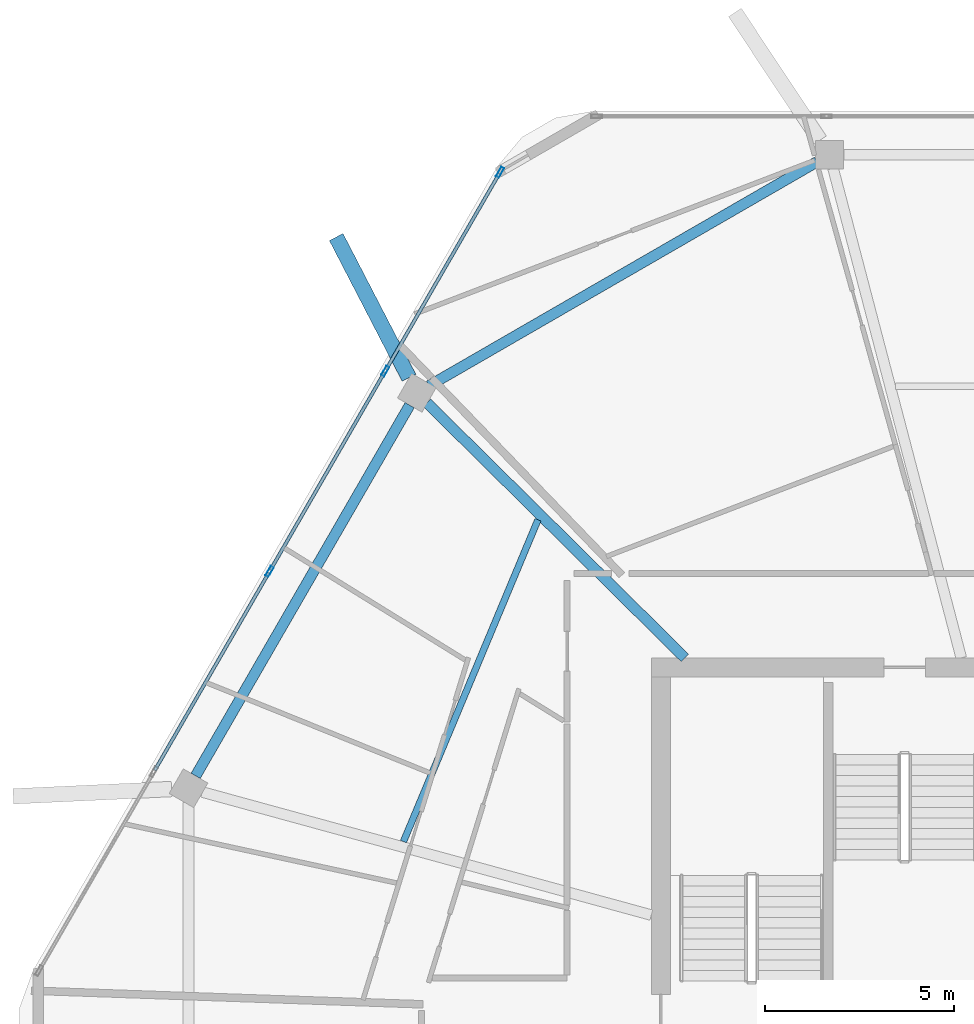
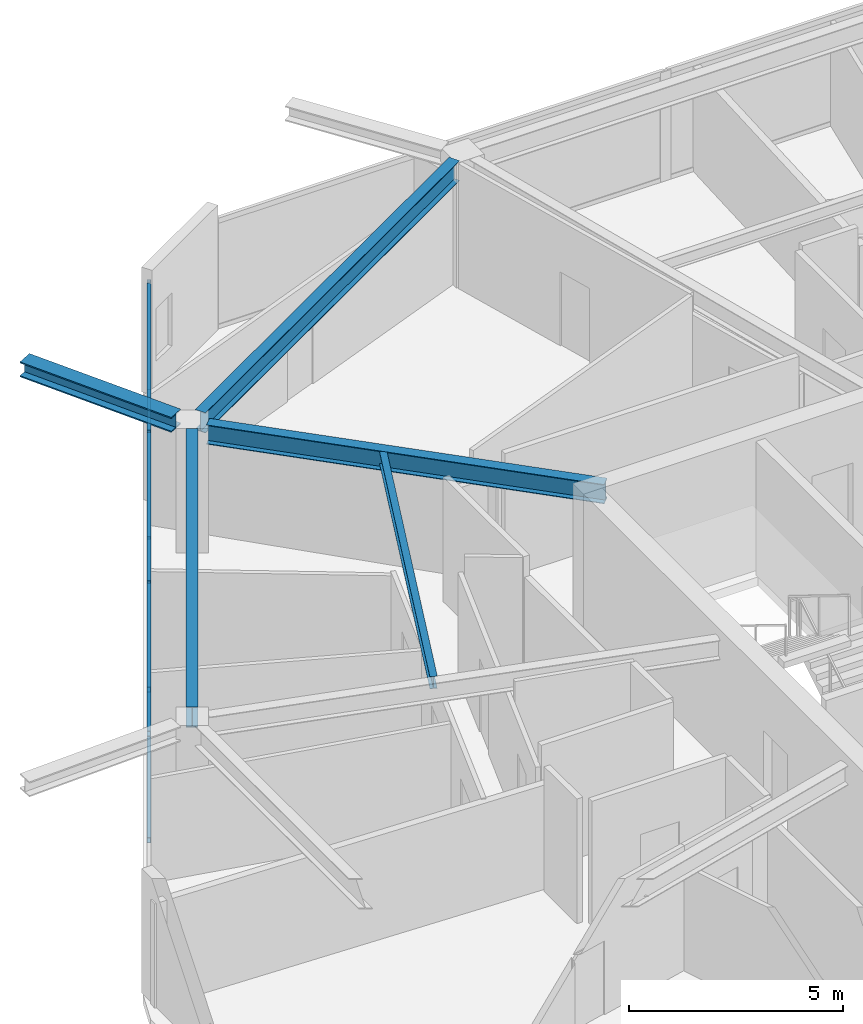
# One storey, part 7 of 18: 9 members, 5 beams, 1 element without a shape of its own.
"""IFC4 building model written with IfcOpenShell, lengths in metres."""

from ifc_helpers import new_model, si_unit, direction, frame, origin, origin_2d, place, context, subcontext, project, spatial, hollow_rectangle, i_section, extrude, material, material_profile, profile_set, type_object, element, aggregate, save


model = new_model("IFC4")

# Units and contexts
model_context = context("Model", 3, precision=1e-05, world=origin(), true_north=direction((0.0, 1.0)))
body_context = subcontext(model_context, "Body", "Model", "MODEL_VIEW")
ifc_project = project(units=[si_unit("LENGTHUNIT", "METRE"), si_unit("AREAUNIT", "SQUARE_METRE"), si_unit("VOLUMEUNIT", "CUBIC_METRE"), si_unit("PLANEANGLEUNIT", "RADIAN"), si_unit("MASSUNIT", "GRAM", prefix="KILO")], contexts=[model_context])

# Site, building, storey
site_placement = place(None, origin())
site = spatial("IfcSite", under=ifc_project, at=site_placement, CompositionType="ELEMENT")
building_placement = place(site_placement, origin())
building = spatial("IfcBuilding", under=site, at=building_placement, Name="Zuhravey Tower", CompositionType="ELEMENT")
storey_placement = place(building_placement, frame((0.0, 0.0, 342.39990234375)))
storey = spatial("IfcBuildingStorey", under=building, at=storey_placement, Name="L87", CompositionType="ELEMENT", Elevation=342.39990234375)

# Curtain wall, members
ifc_material_1 = material(Name="Thermally broken anodised aluminium", Category="aluminium")
curtain_wall_type = type_object("IfcCurtainWallType", Name="Zone 3-4 High-Rise Curtain Wall CW4", PredefinedType="NOTDEFINED", material=ifc_material_1)
curtain_wall_placement = place(storey_placement, origin())
curtain_wall = element("IfcCurtainWall", 1, at=curtain_wall_placement, inside=storey, type_object=curtain_wall_type, Name="L87 CW4 CW-L87-F3-1", PredefinedType="NOTDEFINED")
ifc_material_2 = material(Name="Anodised aluminium", Category="aluminium")
ifc_material_profile_1 = material_profile(ifc_material_2, hollow_rectangle(XDim=0.090087890625, YDim=0.284912109375, WallThickness=0.0048828125, at=origin_2d()), Name="ALU-RHS-90x285x5")
ifc_profile_set_1 = profile_set([ifc_material_profile_1], Name="Anodised aluminium")
member_type_1 = type_object("IfcMemberType", Name="Curtain-Wall Mullion 90x180", PredefinedType="MULLION", material=ifc_profile_set_1)
member_1_placement = place(storey_placement, frame((15.1513671875, 44.037109375, 0.0), z_axis=(0.0, 0.0, 1.0), x_axis=(-0.866025511541, 0.49999981336, 0.0)))
member_1 = element("IfcMember", 2, at=member_1_placement, type_object=member_type_1, Name="CW4 mullion 3", PredefinedType="MULLION", context=body_context, shape_type="SweptSolid", body=[
    extrude(hollow_rectangle(XDim=0.090087890625, YDim=0.284912109375, WallThickness=0.0048828125, at=origin_2d()), origin(), (0.0, 0.0, 1.0), 3.1220703125),
])
member_2_placement = place(storey_placement, frame((18.211181640625, 49.3369140625, 0.0), z_axis=(0.0, 0.0, 1.0), x_axis=(-0.866025511541, 0.49999981336, 0.0)))
member_2 = element("IfcMember", 3, at=member_2_placement, type_object=member_type_1, Name="CW4 mullion 4", PredefinedType="MULLION", context=body_context, shape_type="SweptSolid", body=[
    extrude(hollow_rectangle(XDim=0.090087890625, YDim=0.284912109375, WallThickness=0.0048828125, at=origin_2d()), origin(), (0.0, 0.0, 1.0), 3.1220703125),
])
member_3_placement = place(storey_placement, frame((21.248291015625, 54.59765625, 0.0), z_axis=(0.0, 0.0, 1.0), x_axis=(-0.866025511541, 0.49999981336, 0.0)))
member_3 = element("IfcMember", 4, at=member_3_placement, type_object=member_type_1, Name="CW4 mullion 5", PredefinedType="MULLION", context=body_context, shape_type="SweptSolid", body=[
    extrude(hollow_rectangle(XDim=0.090087890625, YDim=0.284912109375, WallThickness=0.0048828125, at=origin_2d()), origin(), (0.0, 0.0, 1.0), 3.1220703125),
])
ifc_material_profile_2 = material_profile(ifc_material_2, hollow_rectangle(XDim=0.090087890625, YDim=0.14990234375, WallThickness=0.0048828125, at=origin_2d()), Name="ALU-RHS-90x150x5")
ifc_profile_set_2 = profile_set([ifc_material_profile_2], Name="Anodised aluminium")
member_type_2 = type_object("IfcMemberType", Name="Curtain-Wall Transom 90x150", PredefinedType="USERDEFINED", material=ifc_profile_set_2)
member_4_placement = place(storey_placement, frame((12.114013671875, 38.7763671875, 0.045166015625), z_axis=(0.499988837749, 0.866031848217, 0.0), x_axis=(-0.866031848217, 0.499988837749, 0.0)))
member_4 = element("IfcMember", 5, at=member_4_placement, type_object=member_type_2, Name="CW4 transom 2.1", ObjectType="TRANSOM", PredefinedType="USERDEFINED", context=body_context, shape_type="SweptSolid", body=[
    extrude(hollow_rectangle(XDim=0.090087890625, YDim=0.14990234375, WallThickness=0.0048828125, at=origin_2d()), origin(), (0.0, 0.0, 1.0), 6.029541015625),
])
member_5_placement = place(storey_placement, frame((12.114013671875, 38.7763671875, 3.0771484375), z_axis=(0.499988837749, 0.866031848217, 0.0), x_axis=(-0.866031848217, 0.499988837749, 0.0)))
member_5 = element("IfcMember", 6, at=member_5_placement, type_object=member_type_2, Name="CW4 transom 2.2", ObjectType="TRANSOM", PredefinedType="USERDEFINED", context=body_context, shape_type="SweptSolid", body=[
    extrude(hollow_rectangle(XDim=0.090087890625, YDim=0.14990234375, WallThickness=0.0048828125, at=origin_2d()), origin(), (0.0, 0.0, 1.0), 6.029541015625),
])
member_6_placement = place(storey_placement, frame((15.173828125, 44.075927734375, 0.045166015625), z_axis=(0.499971305196, 0.866041970103, 0.0), x_axis=(-0.866041970103, 0.499971305196, 0.0)))
member_6 = element("IfcMember", 7, at=member_6_placement, type_object=member_type_2, Name="CW4 transom 3.1", ObjectType="TRANSOM", PredefinedType="USERDEFINED", context=body_context, shape_type="SweptSolid", body=[
    extrude(hollow_rectangle(XDim=0.090087890625, YDim=0.14990234375, WallThickness=0.0048828125, at=origin_2d()), origin(), (0.0, 0.0, 1.0), 6.029541015625),
])
member_7_placement = place(storey_placement, frame((15.173828125, 44.075927734375, 3.0771484375), z_axis=(0.499971305196, 0.866041970103, 0.0), x_axis=(-0.866041970103, 0.499971305196, 0.0)))
member_7 = element("IfcMember", 8, at=member_7_placement, type_object=member_type_2, Name="CW4 transom 3.2", ObjectType="TRANSOM", PredefinedType="USERDEFINED", context=body_context, shape_type="SweptSolid", body=[
    extrude(hollow_rectangle(XDim=0.090087890625, YDim=0.14990234375, WallThickness=0.0048828125, at=origin_2d()), origin(), (0.0, 0.0, 1.0), 6.029541015625),
])
member_8_placement = place(storey_placement, frame((18.233642578125, 49.375732421875, 0.045166015625), z_axis=(0.499982594807, 0.866035452444, 0.0), x_axis=(-0.866035452444, 0.499982594807, 0.0)))
member_8 = element("IfcMember", 9, at=member_8_placement, type_object=member_type_2, Name="CW4 transom 4.1", ObjectType="TRANSOM", PredefinedType="USERDEFINED", context=body_context, shape_type="SweptSolid", body=[
    extrude(hollow_rectangle(XDim=0.090087890625, YDim=0.14990234375, WallThickness=0.0048828125, at=origin_2d()), origin(), (0.0, 0.0, 1.0), 5.984619140625),
])
member_9_placement = place(storey_placement, frame((18.233642578125, 49.375732421875, 3.0771484375), z_axis=(0.499982594807, 0.866035452444, 0.0), x_axis=(-0.866035452444, 0.499982594807, 0.0)))
member_9 = element("IfcMember", 10, at=member_9_placement, type_object=member_type_2, Name="CW4 transom 4.2", ObjectType="TRANSOM", PredefinedType="USERDEFINED", context=body_context, shape_type="SweptSolid", body=[
    extrude(hollow_rectangle(XDim=0.090087890625, YDim=0.14990234375, WallThickness=0.0048828125, at=origin_2d()), origin(), (0.0, 0.0, 1.0), 5.984619140625),
])
aggregate(curtain_wall, [member_1, member_2, member_3, member_4, member_5, member_6, member_7, member_8, member_9])

# Beams
ifc_material_3 = material(Name="Steel SM460", Category="steel")
ifc_material_profile_3 = material_profile(ifc_material_3, i_section(OverallWidth=0.406982421875, OverallDepth=0.427978515625, WebThickness=0.02001953125, FlangeThickness=0.034912109375, at=origin_2d()), Name="H-428x407x20x35")
ifc_profile_set_3 = profile_set([ifc_material_profile_3], Name="Steel SM460")
beam_type_1 = type_object("IfcBeamType", Name="Exoskeleton Node Tie Beam H428x407", PredefinedType="BEAM", material=ifc_profile_set_3)
beam_1_placement = place(storey_placement, frame((18.8388671875, 49.160888671875, 3.336181640625), z_axis=(-0.459590905568, 0.888130733349, 0.0), x_axis=(-0.888130733349, -0.459590905568, 0.0)))
element("IfcBeam", 11, at=beam_1_placement, inside=storey, type_object=beam_type_1, Name="L87 Exoskeleton Node Tie NT1-05", PredefinedType="BEAM", context=body_context, shape_type="SweptSolid", body=[
    extrude(i_section(OverallWidth=0.406982421875, OverallDepth=0.427978515625, WebThickness=0.02001953125, FlangeThickness=0.034912109375, at=origin_2d()), origin(), (0.0, 0.0, 1.0), 4.190673828125),
])
ifc_material_4 = material(Name="Steel SM355", Category="steel")
ifc_material_profile_4 = material_profile(ifc_material_4, i_section(OverallWidth=0.280029296875, OverallDepth=0.580078125, WebThickness=0.011962890625, FlangeThickness=0.01904296875, at=origin_2d()), Name="H-580x280x12x19")
ifc_profile_set_4 = profile_set([ifc_material_profile_4], Name="Steel SM355")
beam_type_2 = type_object("IfcBeamType", Name="Perimeter Ring Beam H580x280", PredefinedType="BEAM", material=ifc_profile_set_4)
beam_2_placement = place(storey_placement, frame((29.634033203125, 54.875, 3.260009765625), z_axis=(-0.866030838723, -0.499990586292, 0.0), x_axis=(0.499990586292, -0.866030838723, 0.0)))
element("IfcBeam", 12, at=beam_2_placement, inside=storey, type_object=beam_type_2, Name="L87 PB4 BM-L87-PB-04", PredefinedType="BEAM", context=body_context, shape_type="SweptSolid", body=[
    extrude(i_section(OverallWidth=0.280029296875, OverallDepth=0.580078125, WebThickness=0.011962890625, FlangeThickness=0.01904296875, at=origin_2d()), origin(), (0.0, 0.0, 1.0), 11.848876953125),
])
beam_3_placement = place(storey_placement, frame((18.856201171875, 48.434326171875, 3.260009765625), z_axis=(-0.499993743963, -0.866029015679, 0.0), x_axis=(0.866029015679, -0.499993743963, 0.0)))
element("IfcBeam", 13, at=beam_3_placement, inside=storey, type_object=beam_type_2, Name="L87 PB4 BM-L87-PB-05", PredefinedType="BEAM", context=body_context, shape_type="SweptSolid", body=[
    extrude(i_section(OverallWidth=0.280029296875, OverallDepth=0.580078125, WebThickness=0.011962890625, FlangeThickness=0.01904296875, at=origin_2d()), origin(), (0.0, 0.0, 1.0), 11.321533203125),
])
ifc_material_profile_5 = material_profile(ifc_material_4, i_section(OverallWidth=0.280029296875, OverallDepth=0.550048828125, WebThickness=0.010986328125, FlangeThickness=0.01806640625, at=origin_2d()), Name="H-550x280x11x18")
ifc_profile_set_5 = profile_set([ifc_material_profile_5], Name="Steel SM355")
beam_type_3 = type_object("IfcBeamType", Name="Radial Primary Girder H550x280", PredefinedType="BEAM", material=ifc_profile_set_5)
beam_4_placement = place(storey_placement, frame((26.134765625, 41.7529296875, 3.275146484375), z_axis=(-0.711142578304, 0.703047817238, 0.0), x_axis=(-0.703047817238, -0.711142578304, 0.0)))
element("IfcBeam", 14, at=beam_4_placement, inside=storey, type_object=beam_type_3, Name="L87 RG4 BM-L87-RAD-05", PredefinedType="BEAM", context=body_context, shape_type="SweptSolid", body=[
    extrude(i_section(OverallWidth=0.280029296875, OverallDepth=0.550048828125, WebThickness=0.010986328125, FlangeThickness=0.01806640625, at=origin_2d()), origin(), (0.0, 0.0, 1.0), 9.591064453125),
])
ifc_material_profile_6 = material_profile(ifc_material_4, i_section(OverallWidth=0.175048828125, OverallDepth=0.35009765625, WebThickness=0.007080078125, FlangeThickness=0.010986328125, at=origin_2d()), Name="H-350x175x7x11")
ifc_profile_set_6 = profile_set([ifc_material_profile_6], Name="Steel SM355")
beam_type_4 = type_object("IfcBeamType", Name="Secondary Floor Joist H350x175", PredefinedType="JOIST", material=ifc_profile_set_6)
beam_5_placement = place(storey_placement, frame((22.2509765625, 45.40478515625, 3.375), z_axis=(-0.385657891576, -0.922641853953, 0.0), x_axis=(0.922641853953, -0.385657891576, 0.0)))
element("IfcBeam", 15, at=beam_5_placement, inside=storey, type_object=beam_type_4, Name="L87 SJ3 BM-L87-SJ-05-1", PredefinedType="JOIST", context=body_context, shape_type="SweptSolid", body=[
    extrude(i_section(OverallWidth=0.175048828125, OverallDepth=0.35009765625, WebThickness=0.007080078125, FlangeThickness=0.010986328125, at=origin_2d()), origin(), (0.0, 0.0, 1.0), 9.226806640625),
])

save(model, "model.ifc")
